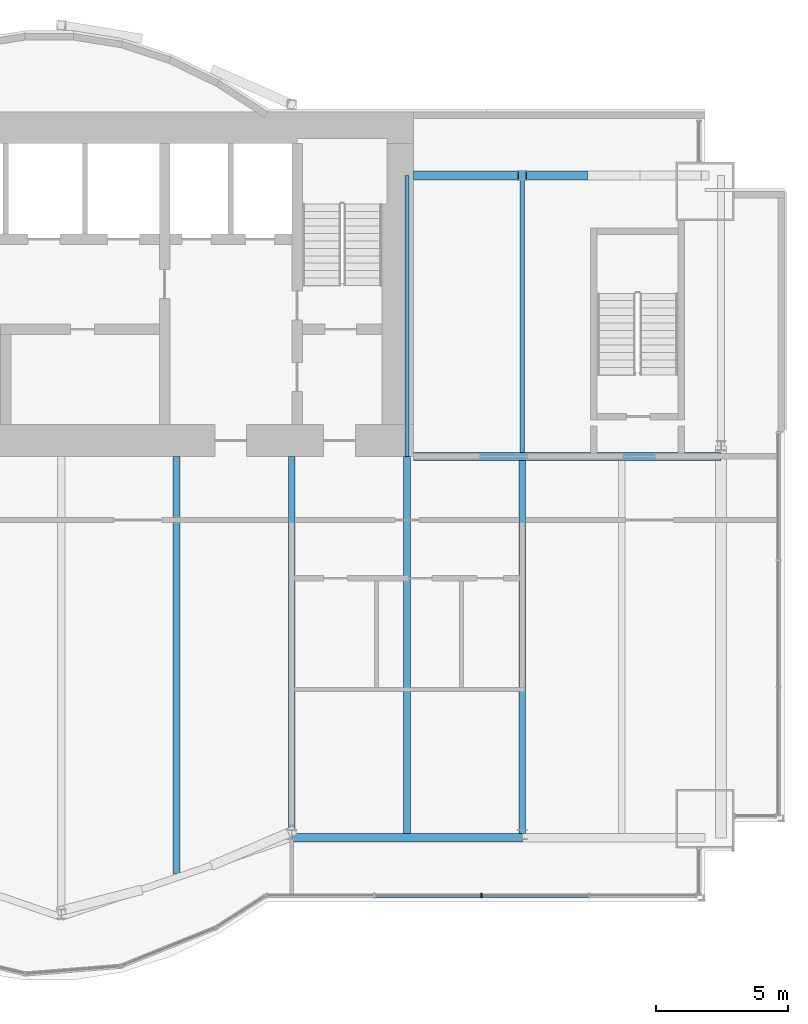
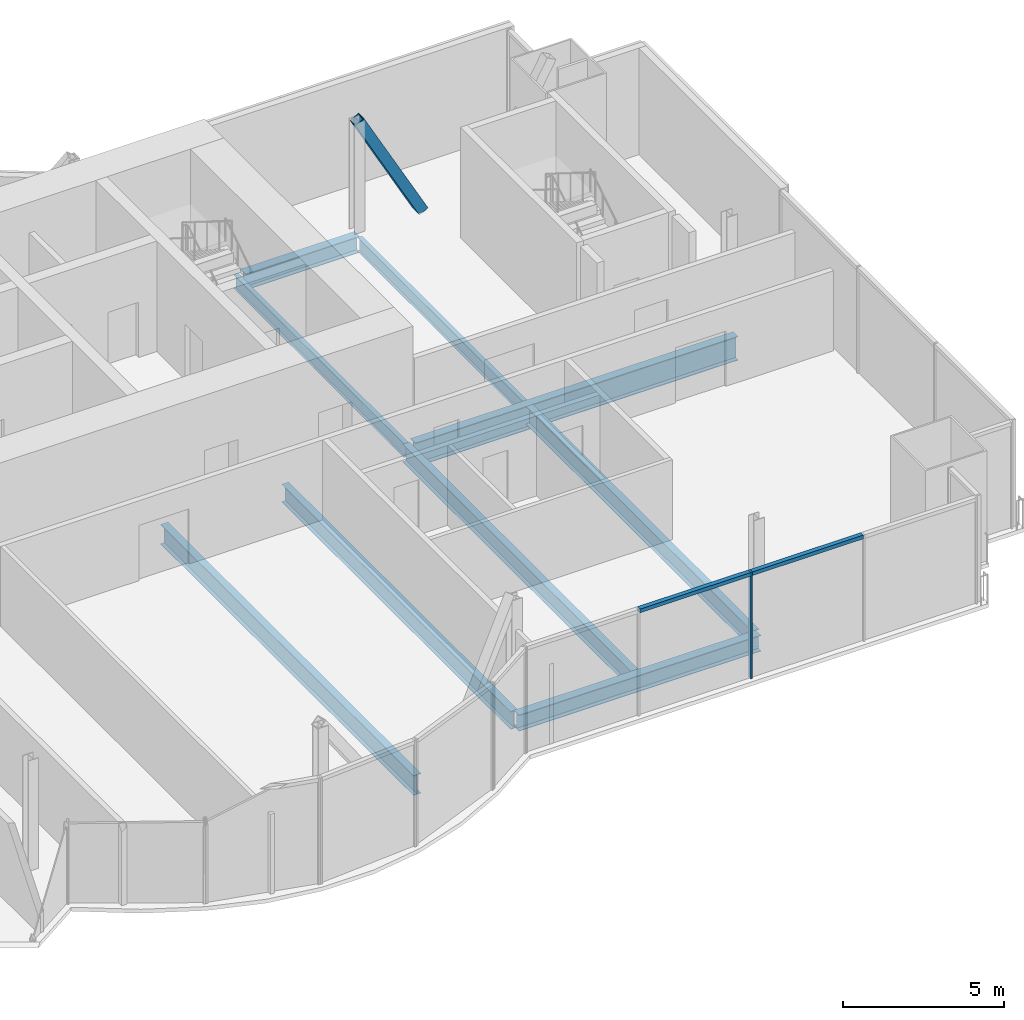
# One storey, part 9 of 20: 9 beams, 4 members, 1 element without a shape of its own.
"""IFC4 building model written with IfcOpenShell, lengths in metres."""

from ifc_helpers import new_model, si_unit, direction, frame, origin, origin_2d, place, context, subcontext, project, spatial, rectangle, hollow_rectangle, i_section, extrude, material, material_profile, profile_set, type_object, element, aggregate, save


model = new_model("IFC4")

# Units and contexts
model_context = context("Model", 3, precision=1e-05, world=origin(), true_north=direction((0.0, 1.0)))
body_context = subcontext(model_context, "Body", "Model", "MODEL_VIEW")
ifc_project = project(units=[si_unit("LENGTHUNIT", "METRE"), si_unit("AREAUNIT", "SQUARE_METRE"), si_unit("VOLUMEUNIT", "CUBIC_METRE"), si_unit("PLANEANGLEUNIT", "RADIAN"), si_unit("MASSUNIT", "GRAM", prefix="KILO")], contexts=[model_context])

# Site, building, storey
site_placement = place(None, origin())
site = spatial("IfcSite", under=ifc_project, at=site_placement, CompositionType="ELEMENT")
building_placement = place(site_placement, origin())
building = spatial("IfcBuilding", under=site, at=building_placement, Name="Bicima Exchange Tower", CompositionType="ELEMENT")
storey_placement = place(building_placement, frame((0.0, 0.0, 249.800048828125)))
storey = spatial("IfcBuildingStorey", under=building, at=storey_placement, Name="L56", CompositionType="ELEMENT", Elevation=249.800048828125)

# Beams
ifc_material_1 = material(Name="Steel ASTM A992 Gr 50", Category="steel")
ifc_material_profile_1 = material_profile(ifc_material_1, i_section(OverallWidth=0.3046875, OverallDepth=0.911865234375, WebThickness=0.015869140625, FlangeThickness=0.02392578125, at=origin_2d()))
ifc_profile_set_1 = profile_set([ifc_material_profile_1], Name="Steel ASTM A992 Gr 50")
beam_type_1 = type_object("IfcBeamType", Name="Core-line girder W36x150", PredefinedType="BEAM", material=ifc_profile_set_1)
beam_1_placement = place(storey_placement, frame((22.0, -13.0, -0.60595703125), z_axis=(1.0, 0.0, 0.0), x_axis=(0.0, 1.0, 0.0)))
element("IfcBeam", 1, at=beam_1_placement, inside=storey, type_object=beam_type_1, Name="Core-line girder", PredefinedType="BEAM", context=body_context, shape_type="SweptSolid", body=[
    extrude(i_section(OverallWidth=0.3046875, OverallDepth=0.911865234375, WebThickness=0.015869140625, FlangeThickness=0.02392578125, at=origin_2d()), origin(), (0.0, 0.0, 1.0), 11.60009765625),
])
ifc_material_profile_2 = material_profile(ifc_material_1, i_section(OverallWidth=0.165771484375, OverallDepth=0.5283203125, WebThickness=0.009765625, FlangeThickness=0.013671875, at=origin_2d()))
ifc_profile_set_2 = profile_set([ifc_material_profile_2], Name="Steel ASTM A992 Gr 50")
beam_type_2 = type_object("IfcBeamType", Name="Floor beam W21x50", PredefinedType="JOIST", material=ifc_profile_set_2)
beam_2_placement = place(storey_placement, frame((21.75, -2.39990234375, -0.414306640625), z_axis=(0.0, -1.0, 0.0), x_axis=(1.0, 0.0, 0.0)))
element("IfcBeam", 2, at=beam_2_placement, inside=storey, type_object=beam_type_2, Name="Floor beam", PredefinedType="JOIST", context=body_context, shape_type="SweptSolid", body=[
    extrude(i_section(OverallWidth=0.165771484375, OverallDepth=0.5283203125, WebThickness=0.009765625, FlangeThickness=0.013671875, at=origin_2d()), origin(), (0.0, 0.0, 1.0), 10.60009765625),
])
beam_3_placement = place(storey_placement, frame((26.10009765625, -2.5625, -0.414306640625), z_axis=(0.0, -1.0, 0.0), x_axis=(1.0, 0.0, 0.0)))
element("IfcBeam", 3, at=beam_3_placement, inside=storey, type_object=beam_type_2, Name="Floor beam", PredefinedType="JOIST", context=body_context, shape_type="SweptSolid", body=[
    extrude(i_section(OverallWidth=0.165771484375, OverallDepth=0.5283203125, WebThickness=0.009765625, FlangeThickness=0.013671875, at=origin_2d()), origin(), (0.0, 0.0, 1.0), 10.28515625),
])
ifc_material_profile_3 = material_profile(ifc_material_1, i_section(OverallWidth=0.25390625, OverallDepth=0.67822265625, WebThickness=0.01171875, FlangeThickness=0.016357421875, at=origin_2d()))
ifc_profile_set_3 = profile_set([ifc_material_profile_3], Name="Steel ASTM A992 Gr 50")
beam_type_3 = type_object("IfcBeamType", Name="Floor beam W27x84", PredefinedType="JOIST", material=ifc_profile_set_3)
beam_4_placement = place(storey_placement, frame((17.39990234375, -13.0, -0.4892578125), z_axis=(0.0, -1.0, 0.0), x_axis=(1.0, 0.0, 0.0)))
element("IfcBeam", 4, at=beam_4_placement, inside=storey, type_object=beam_type_3, Name="Floor beam", PredefinedType="JOIST", context=body_context, shape_type="SweptSolid", body=[
    extrude(i_section(OverallWidth=0.25390625, OverallDepth=0.67822265625, WebThickness=0.01171875, FlangeThickness=0.016357421875, at=origin_2d()), origin(), (0.0, 0.0, 1.0), 14.264404296875),
])
beam_5_placement = place(storey_placement, frame((21.75, -13.0, -0.4892578125), z_axis=(0.0, -1.0, 0.0), x_axis=(1.0, 0.0, 0.0)))
element("IfcBeam", 5, at=beam_5_placement, inside=storey, type_object=beam_type_3, Name="Floor beam", PredefinedType="JOIST", context=body_context, shape_type="SweptSolid", body=[
    extrude(i_section(OverallWidth=0.25390625, OverallDepth=0.67822265625, WebThickness=0.01171875, FlangeThickness=0.016357421875, at=origin_2d()), origin(), (0.0, 0.0, 1.0), 14.2373046875),
])
beam_6_placement = place(storey_placement, frame((26.10009765625, -13.15234375, -0.4892578125), z_axis=(0.0, -1.0, 0.0), x_axis=(1.0, 0.0, 0.0)))
element("IfcBeam", 6, at=beam_6_placement, inside=storey, type_object=beam_type_3, Name="Floor beam", PredefinedType="JOIST", context=body_context, shape_type="SweptSolid", body=[
    extrude(i_section(OverallWidth=0.25390625, OverallDepth=0.67822265625, WebThickness=0.01171875, FlangeThickness=0.016357421875, at=origin_2d()), origin(), (0.0, 0.0, 1.0), 14.0849609375),
])
ifc_material_profile_4 = material_profile(ifc_material_1, i_section(OverallWidth=0.2666015625, OverallDepth=0.75439453125, WebThickness=0.01318359375, FlangeThickness=0.01708984375, at=origin_2d()))
ifc_profile_set_4 = profile_set([ifc_material_profile_4], Name="Steel ASTM A992 Gr 50")
beam_type_4 = type_object("IfcBeamType", Name="Floor beam W30x99", PredefinedType="JOIST", material=ifc_profile_set_4)
beam_7_placement = place(storey_placement, frame((13.050048828125, -13.0, -0.52734375), z_axis=(0.0, -1.0, 0.0), x_axis=(1.0, 0.0, 0.0)))
element("IfcBeam", 7, at=beam_7_placement, inside=storey, type_object=beam_type_4, Name="Floor beam", PredefinedType="JOIST", context=body_context, shape_type="SweptSolid", body=[
    extrude(i_section(OverallWidth=0.2666015625, OverallDepth=0.75439453125, WebThickness=0.01318359375, FlangeThickness=0.01708984375, at=origin_2d()), origin(), (0.0, 0.0, 1.0), 15.760009765625),
])
ifc_material_profile_5 = material_profile(ifc_material_1, i_section(OverallWidth=0.3251953125, OverallDepth=0.612060546875, WebThickness=0.0126953125, FlangeThickness=0.01904296875, at=origin_2d()))
ifc_profile_set_5 = profile_set([ifc_material_profile_5], Name="Steel ASTM A992 Gr 50")
beam_type_5 = type_object("IfcBeamType", Name="Front girder W24x104", PredefinedType="BEAM", material=ifc_profile_set_5)
beam_8_placement = place(storey_placement, frame((17.39990234375, -27.39990234375, -0.4560546875), z_axis=(1.0, 0.0, 0.0), x_axis=(0.0, 1.0, 0.0)))
element("IfcBeam", 8, at=beam_8_placement, inside=storey, type_object=beam_type_5, Name="Front girder", PredefinedType="BEAM", context=body_context, shape_type="SweptSolid", body=[
    extrude(i_section(OverallWidth=0.3251953125, OverallDepth=0.612060546875, WebThickness=0.0126953125, FlangeThickness=0.01904296875, at=origin_2d()), origin(), (0.0, 0.0, 1.0), 8.7001953125),
])

# Curtain wall, members
ifc_material_2 = material(Name="Anodised bronze aluminium", Category="aluminium")
curtain_wall_type = type_object("IfcCurtainWallType", Name="Front glass wall", PredefinedType="NOTDEFINED", material=ifc_material_2)
curtain_wall_placement = place(storey_placement, origin())
curtain_wall = element("IfcCurtainWall", 9, at=curtain_wall_placement, inside=storey, type_object=curtain_wall_type, Name="Front glass wall L56 run 16", PredefinedType="NOTDEFINED")
ifc_material_profile_6 = material_profile(ifc_material_2, rectangle(XDim=0.159912109375, YDim=0.06005859375, at=origin_2d()))
ifc_profile_set_6 = profile_set([ifc_material_profile_6], Name="Anodised bronze aluminium")
member_type_1 = type_object("IfcMemberType", Name="Front glass wall mullion 60 x 160", PredefinedType="MULLION", material=ifc_profile_set_6)
member_1_placement = place(storey_placement, frame((24.56103515625, -29.570068359375, 0.0), z_axis=(0.0, 0.0, 1.0), x_axis=(0.0, 1.0, 0.0)))
member_1 = element("IfcMember", 10, at=member_1_placement, type_object=member_type_1, Name="Front glass wall mullion 3", PredefinedType="MULLION", context=body_context, shape_type="SweptSolid", body=[
    extrude(rectangle(XDim=0.159912109375, YDim=0.06005859375, at=origin_2d()), origin(), (0.0, 0.0, 1.0), 4.050048828125),
])
ifc_material_profile_7 = material_profile(ifc_material_2, rectangle(XDim=0.159912109375, YDim=0.139892578125, at=origin_2d()))
ifc_profile_set_7 = profile_set([ifc_material_profile_7], Name="Anodised bronze aluminium")
member_type_2 = type_object("IfcMemberType", Name="Front glass wall transom 140 x 160", PredefinedType="USERDEFINED", material=ifc_profile_set_7)
member_2_placement = place(storey_placement, frame((20.54150390625, -29.570068359375, 3.97998046875), z_axis=(1.0, 0.0, 0.0), x_axis=(0.0, 1.0, 0.0)))
member_2 = element("IfcMember", 11, at=member_2_placement, type_object=member_type_2, Name="Front glass wall transom 2.1", ObjectType="TRANSOM", PredefinedType="USERDEFINED", context=body_context, shape_type="SweptSolid", body=[
    extrude(rectangle(XDim=0.159912109375, YDim=0.139892578125, at=origin_2d()), origin(), (0.0, 0.0, 1.0), 3.989501953125),
])
member_3_placement = place(storey_placement, frame((24.591064453125, -29.570068359375, 3.97998046875), z_axis=(1.0, 0.0, 0.0), x_axis=(0.0, 1.0, 0.0)))
member_3 = element("IfcMember", 12, at=member_3_placement, type_object=member_type_2, Name="Front glass wall transom 3.1", ObjectType="TRANSOM", PredefinedType="USERDEFINED", context=body_context, shape_type="SweptSolid", body=[
    extrude(rectangle(XDim=0.159912109375, YDim=0.139892578125, at=origin_2d()), origin(), (0.0, 0.0, 1.0), 3.989501953125),
])
aggregate(curtain_wall, [member_1, member_2, member_3])

# Member
ifc_material_3 = material(Name="Steel ASTM A572 Gr 50", Category="steel")
ifc_material_profile_8 = material_profile(ifc_material_3, hollow_rectangle(XDim=0.355712890625, YDim=0.355712890625, WallThickness=0.0146484375, at=origin_2d()))
ifc_profile_set_8 = profile_set([ifc_material_profile_8], Name="Steel ASTM A572 Gr 50")
member_type_3 = type_object("IfcMemberType", Name="Mega brace HSS14x14x5/8", PredefinedType="BRACE", material=ifc_profile_set_8)
member_4_placement = place(storey_placement, frame((28.39990234375, -2.39990234375, 0.0), z_axis=(-0.480287539831, 0.0, 0.877111098484), x_axis=(0.0, -1.0, 0.0)))
element("IfcMember", 13, at=member_4_placement, inside=storey, type_object=member_type_3, Name="Mega brace rear", PredefinedType="BRACE", context=body_context, shape_type="SweptSolid", body=[
    extrude(hollow_rectangle(XDim=0.355712890625, YDim=0.355712890625, WallThickness=0.0146484375, at=origin_2d()), origin(), (0.0, 0.0, 1.0), 4.788330078125),
])

# Beam
beam_type_6 = type_object("IfcBeamType", Name="Rear girder W24x104", PredefinedType="BEAM", material=ifc_profile_set_5)
beam_9_placement = place(storey_placement, frame((22.0, -2.39990234375, -0.4560546875), z_axis=(1.0, 0.0, 0.0), x_axis=(0.0, 1.0, 0.0)))
element("IfcBeam", 14, at=beam_9_placement, inside=storey, type_object=beam_type_6, Name="Rear girder", PredefinedType="BEAM", context=body_context, shape_type="SweptSolid", body=[
    extrude(i_section(OverallWidth=0.3251953125, OverallDepth=0.612060546875, WebThickness=0.0126953125, FlangeThickness=0.01904296875, at=origin_2d()), origin(), (0.0, 0.0, 1.0), 4.10009765625),
])

save(model, "model.ifc")
